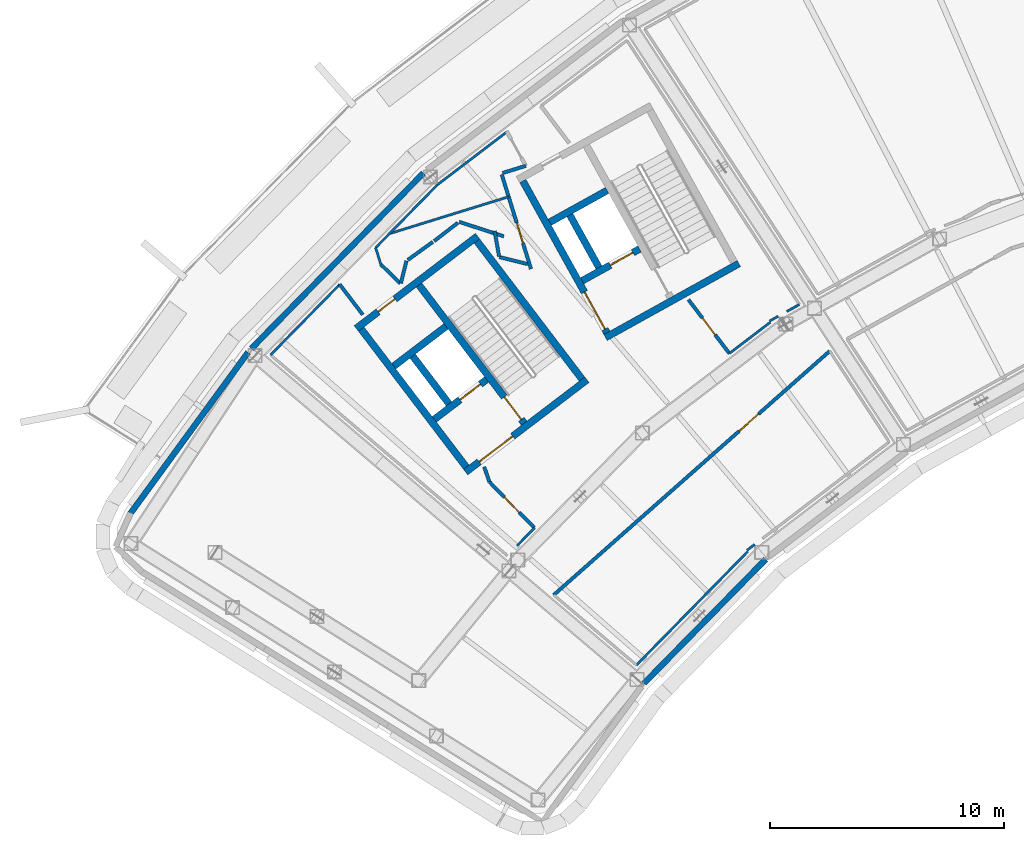
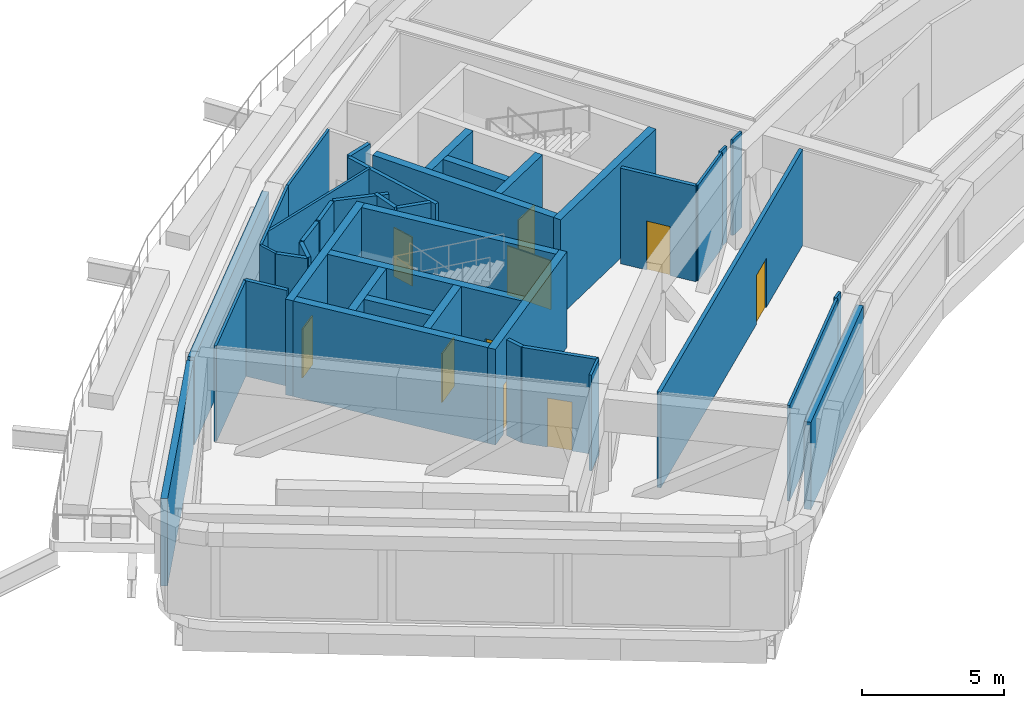
# One storey, part 7 of 24: 41 walls, 10 doors, 10 openings.
"""IFC4 building model written with IfcOpenShell, lengths in metres."""

from ifc_helpers import new_model, si_unit, direction, frame, frame_2d, origin, place, context, subcontext, project, spatial, rectangle, extrude, material, layer, layer_set, type_object, element, fill, save


model = new_model("IFC4")

# Units and contexts
model_context = context("Model", 3, precision=1e-05, world=origin(), true_north=direction((0.0, 1.0)))
body_context = subcontext(model_context, "Body", "Model", "MODEL_VIEW")
ifc_project = project(units=[si_unit("LENGTHUNIT", "METRE"), si_unit("AREAUNIT", "SQUARE_METRE"), si_unit("VOLUMEUNIT", "CUBIC_METRE"), si_unit("PLANEANGLEUNIT", "RADIAN"), si_unit("MASSUNIT", "GRAM", prefix="KILO")], contexts=[model_context])

# Site, building, storey
site_placement = place(None, origin())
site = spatial("IfcSite", under=ifc_project, at=site_placement, CompositionType="ELEMENT")
building_placement = place(site_placement, origin())
building = spatial("IfcBuilding", under=site, at=building_placement, Name="Tuul Gate Civic Tower", CompositionType="ELEMENT")
storey_placement = place(building_placement, frame((0.0, 0.0, 243.89990234375)))
storey = spatial("IfcBuildingStorey", under=building, at=storey_placement, Name="Plant and refuge floor 6", CompositionType="ELEMENT", Elevation=243.89990234375)

# Wall, opening, door
ifc_material_1 = material(Name="Concrete C50/60", Category="concrete")
ifc_layer_1 = layer(ifc_material_1, 0.300048828125)
ifc_layer_set_1 = layer_set([ifc_layer_1], Name="Concrete C50/60")
wall_type_1 = type_object("IfcWallType", Name="Core wall C50/60", PredefinedType="SHEAR", material=ifc_layer_set_1)
wall_1_placement = place(storey_placement, frame((-31.19091796875, -13.669677734375, 0.0), z_axis=(0.0, 0.0, 1.0), x_axis=(-0.795606717756, -0.605813461934, 0.0)))
wall_1 = element("IfcWall", 1, at=wall_1_placement, inside=storey, type_object=wall_type_1, Name="Core wall", PredefinedType="SHEAR", context=body_context, shape_type="SweptSolid", body=[
    extrude(rectangle(XDim=6.5, YDim=0.300048828125, at=frame_2d((3.25, 0.0))), origin(), (0.0, 0.0, 1.0), 4.10009765625),
])
opening_1_placement = place(wall_1_placement, frame((3.97509765625, 0.0, 0.0)))
opening_1 = element("IfcOpeningElement", 2, at=opening_1_placement, cuts=wall_1, Name="Opening LB-W1-LOBBY-1", PredefinedType="OPENING", context=body_context, shape_type="SweptSolid", body=[
    extrude(rectangle(XDim=1.800048828125, YDim=2.10009765625, at=frame_2d((0.89990234375, 1.050048828125))), frame((0.0, 0.16015625, 0.0), z_axis=(0.0, -1.0, 0.0), x_axis=(1.0, 0.0, 0.0)), (0.0, 0.0, 1.0), 0.320068359375),
])
ifc_material_2 = material(Name="Steel", Category="steel")
door_type_1 = type_object("IfcDoorType", Name="Lobby door", OperationType="DOUBLE_DOOR_SINGLE_SWING", PredefinedType="DOOR", material=ifc_material_2)
door_1_placement = place(opening_1_placement, origin())
door_1 = element("IfcDoor", 3, at=door_1_placement, inside=storey, type_object=door_type_1, Name="Lobby door W1-LOBBY", OperationType="DOUBLE_DOOR_SINGLE_SWING", OverallHeight=2.10009765625, OverallWidth=1.800048828125, PredefinedType="DOOR", context=body_context, shape_type="SweptSolid", body=[
    extrude(rectangle(XDim=1.800048828125, YDim=2.10009765625, at=frame_2d((0.89990234375, 1.050048828125))), frame((0.0, 0.02490234375, 0.0), z_axis=(0.0, -1.0, 0.0), x_axis=(1.0, 0.0, 0.0)), (0.0, 0.0, 1.0), 0.050048828125),
])
fill(opening_1, door_1)

wall_2_placement = place(storey_placement, frame((-35.470947265625, -13.66064453125, 0.0), z_axis=(0.0, 0.0, 1.0), x_axis=(-0.795615822227, -0.605801504968, 0.0)))
wall_2 = element("IfcWall", 4, at=wall_2_placement, inside=storey, type_object=wall_type_1, Name="Core wall", PredefinedType="SHEAR", context=body_context, shape_type="SweptSolid", body=[
    extrude(rectangle(XDim=2.800048828125, YDim=0.300048828125, at=frame_2d((1.39990234375, 0.0))), origin(), (0.0, 0.0, 1.0), 4.10009765625),
])
opening_2_placement = place(wall_2_placement, frame((0.324951171875, 0.0, 0.0)))
opening_2 = element("IfcOpeningElement", 5, at=opening_2_placement, cuts=wall_2, Name="Opening LD-H1", PredefinedType="OPENING", context=body_context, shape_type="SweptSolid", body=[
    extrude(rectangle(XDim=1.10009765625, YDim=2.10009765625, at=frame_2d((0.550048828125, 1.050048828125))), frame((0.0, 0.16015625, 0.0), z_axis=(0.0, -1.0, 0.0), x_axis=(1.0, 0.0, 0.0)), (0.0, 0.0, 1.0), 0.320068359375),
])
ifc_material_3 = material(Name="Stainless steel", Category="steel")
door_type_2 = type_object("IfcDoorType", Name="Landing door", OperationType="DOUBLE_DOOR_SLIDING", PredefinedType="DOOR", material=ifc_material_3)
door_2_placement = place(opening_2_placement, origin())
door_2 = element("IfcDoor", 6, at=door_2_placement, inside=storey, type_object=door_type_2, Name="High-rise lift H1 landing door", OperationType="DOUBLE_DOOR_SLIDING", OverallHeight=2.10009765625, OverallWidth=1.10009765625, PredefinedType="DOOR", context=body_context, shape_type="SweptSolid", body=[
    extrude(rectangle(XDim=1.10009765625, YDim=2.10009765625, at=frame_2d((0.550048828125, 1.050048828125))), frame((0.0, 0.02490234375, 0.0), z_axis=(0.0, -1.0, 0.0), x_axis=(1.0, 0.0, 0.0)), (0.0, 0.0, 1.0), 0.050048828125),
])
fill(opening_2, door_2)

# Wall
wall_3_placement = place(storey_placement, frame((-37.197509765625, -11.39306640625, 0.0), z_axis=(0.0, 0.0, 1.0), x_axis=(-0.795583820278, -0.605843531707, 0.0)))
element("IfcWall", 7, at=wall_3_placement, inside=storey, type_object=wall_type_1, Name="Core wall", PredefinedType="SHEAR", context=body_context, shape_type="SweptSolid", body=[
    extrude(rectangle(XDim=2.7998046875, YDim=0.300048828125, at=frame_2d((1.39990234375, 0.0))), origin(), (0.0, 0.0, 1.0), 4.10009765625),
])

# Wall, opening, door
wall_4_placement = place(storey_placement, frame((-35.855224609375, -7.543212890625, 0.0), z_axis=(0.0, 0.0, 1.0), x_axis=(-0.79563860527, -0.605771582202, 0.0)))
wall_4 = element("IfcWall", 8, at=wall_4_placement, inside=storey, type_object=wall_type_1, Name="Core wall", PredefinedType="SHEAR", context=body_context, shape_type="SweptSolid", body=[
    extrude(rectangle(XDim=6.5, YDim=0.300048828125, at=frame_2d((3.25, 0.0))), origin(), (0.0, 0.0, 1.0), 4.10009765625),
])
opening_3_placement = place(wall_4_placement, frame((4.425048828125, 0.0, 0.0)))
opening_3 = element("IfcOpeningElement", 9, at=opening_3_placement, cuts=wall_4, Name="Opening PB-D23", PredefinedType="OPENING", context=body_context, shape_type="SweptSolid", body=[
    extrude(rectangle(XDim=0.89990234375, YDim=2.10009765625, at=frame_2d((0.449951171875, 1.050048828125))), frame((0.0, 0.16015625, 0.0), z_axis=(0.0, -1.0, 0.0), x_axis=(1.0, 0.0, 0.0)), (0.0, 0.0, 1.0), 0.320068359375),
])
ifc_material_4 = material(Name="Timber door leaf", Category="wood")
door_type_3 = type_object("IfcDoorType", Name="Door D09", OperationType="NOTDEFINED", PredefinedType="DOOR", material=ifc_material_4)
door_3_placement = place(opening_3_placement, origin())
door_3 = element("IfcDoor", 10, at=door_3_placement, inside=storey, type_object=door_type_3, Name="Door PB-D23", OperationType="SINGLE_SWING_LEFT", OverallHeight=2.10009765625, OverallWidth=0.89990234375, PredefinedType="DOOR", context=body_context, shape_type="SweptSolid", body=[
    extrude(rectangle(XDim=0.89990234375, YDim=2.10009765625, at=frame_2d((0.449951171875, 1.050048828125))), frame((0.0, 0.02490234375, 0.0), z_axis=(0.0, -1.0, 0.0), x_axis=(1.0, 0.0, 0.0)), (0.0, 0.0, 1.0), 0.050048828125),
])
fill(opening_3, door_3)

# Wall
wall_5_placement = place(storey_placement, frame((-31.401123046875, -13.64111328125, 0.0), z_axis=(0.0, 0.0, 1.0), x_axis=(-0.605769822278, 0.795639945213, 0.0)))
element("IfcWall", 11, at=wall_5_placement, inside=storey, type_object=wall_type_1, Name="Core wall", PredefinedType="SHEAR", context=body_context, shape_type="SweptSolid", body=[
    extrude(rectangle(XDim=7.39990234375, YDim=0.300048828125, at=frame_2d((3.699951171875, 0.0))), origin(), (0.0, 0.0, 1.0), 4.10009765625),
])

# Wall, opening, door
wall_6_placement = place(storey_placement, frame((-33.867431640625, -15.51904296875, 0.0), z_axis=(0.0, 0.0, 1.0), x_axis=(-0.605769822278, 0.795639945213, 0.0)))
wall_6 = element("IfcWall", 12, at=wall_6_placement, inside=storey, type_object=wall_type_1, Name="Core wall", PredefinedType="SHEAR", context=body_context, shape_type="SweptSolid", body=[
    extrude(rectangle(XDim=7.39990234375, YDim=0.300048828125, at=frame_2d((3.699951171875, 0.0))), origin(), (0.0, 0.0, 1.0), 4.10009765625),
])
opening_4_placement = place(wall_6_placement, frame((0.199951171875, 0.0, 0.0)))
opening_4 = element("IfcOpeningElement", 13, at=opening_4_placement, cuts=wall_6, Name="Opening SD-ST-1", PredefinedType="OPENING", context=body_context, shape_type="SweptSolid", body=[
    extrude(rectangle(XDim=1.199951171875, YDim=2.10009765625, at=frame_2d((0.60009765625, 1.050048828125))), frame((0.0, 0.16015625, 0.0), z_axis=(0.0, -1.0, 0.0), x_axis=(1.0, 0.0, 0.0)), (0.0, 0.0, 1.0), 0.320068359375),
])
ifc_material_5 = material(Name="Steel", Category="steel")
door_type_4 = type_object("IfcDoorType", Name="Stair door", OperationType="NOTDEFINED", PredefinedType="DOOR", material=ifc_material_5)
door_4_placement = place(opening_4_placement, origin())
door_4 = element("IfcDoor", 14, at=door_4_placement, inside=storey, type_object=door_type_4, Name="Stair door ST-1", OperationType="SINGLE_SWING_LEFT", OverallHeight=2.10009765625, OverallWidth=1.199951171875, PredefinedType="DOOR", context=body_context, shape_type="SweptSolid", body=[
    extrude(rectangle(XDim=1.199951171875, YDim=2.10009765625, at=frame_2d((0.60009765625, 1.050048828125))), frame((0.0, 0.02490234375, 0.0), z_axis=(0.0, -1.0, 0.0), x_axis=(1.0, 0.0, 0.0)), (0.0, 0.0, 1.0), 0.050048828125),
])
fill(opening_4, door_4)

# Walls
wall_7_placement = place(storey_placement, frame((-37.073486328125, -14.6923828125, 0.0), z_axis=(0.0, 0.0, 1.0), x_axis=(-0.605728760074, 0.79567120673, 0.0)))
element("IfcWall", 15, at=wall_7_placement, inside=storey, type_object=wall_type_1, Name="Core wall", PredefinedType="SHEAR", context=body_context, shape_type="SweptSolid", body=[
    extrude(rectangle(XDim=2.550048828125, YDim=0.300048828125, at=frame_2d((1.27490234375, 0.0))), origin(), (0.0, 0.0, 1.0), 4.10009765625),
])
wall_8_placement = place(storey_placement, frame((-36.333984375, -17.397216796875, 0.0), z_axis=(0.0, 0.0, 1.0), x_axis=(-0.605753921168, 0.795652051458, 0.0)))
element("IfcWall", 16, at=wall_8_placement, inside=storey, type_object=wall_type_1, Name="Core wall", PredefinedType="SHEAR", context=body_context, shape_type="SweptSolid", body=[
    extrude(rectangle(XDim=7.400146484375, YDim=0.300048828125, at=frame_2d((3.7001953125, 0.0))), origin(), (0.0, 0.0, 1.0), 4.10009765625),
])
wall_9_placement = place(storey_placement, frame((-24.711669921875, -8.7158203125, 0.0), z_axis=(0.0, 0.0, 1.0), x_axis=(-0.874629909008, -0.484791215132, 0.0)))
element("IfcWall", 17, at=wall_9_placement, inside=storey, type_object=wall_type_1, Name="Core wall", PredefinedType="SHEAR", context=body_context, shape_type="SweptSolid", body=[
    extrude(rectangle(XDim=6.5, YDim=0.300048828125, at=frame_2d((3.25, 0.0))), origin(), (0.0, 0.0, 1.0), 4.10009765625),
])

# Wall, opening, door
wall_10_placement = place(storey_placement, frame((-28.94580078125, -8.090087890625, 0.0), z_axis=(0.0, 0.0, 1.0), x_axis=(-0.874629840737, -0.484791338301, 0.0)))
wall_10 = element("IfcWall", 18, at=wall_10_placement, inside=storey, type_object=wall_type_1, Name="Core wall", PredefinedType="SHEAR", context=body_context, shape_type="SweptSolid", body=[
    extrude(rectangle(XDim=2.800048828125, YDim=0.300048828125, at=frame_2d((1.39990234375, 0.0))), origin(), (0.0, 0.0, 1.0), 4.10009765625),
])
opening_5_placement = place(wall_10_placement, frame((0.324951171875, 0.0, 0.0)))
opening_5 = element("IfcOpeningElement", 19, at=opening_5_placement, cuts=wall_10, Name="Opening LD-FF-1", PredefinedType="OPENING", context=body_context, shape_type="SweptSolid", body=[
    extrude(rectangle(XDim=1.10009765625, YDim=2.10009765625, at=frame_2d((0.550048828125, 1.050048828125))), frame((0.0, 0.16015625, 0.0), z_axis=(0.0, -1.0, 0.0), x_axis=(1.0, 0.0, 0.0)), (0.0, 0.0, 1.0), 0.320068359375),
])
door_5_placement = place(opening_5_placement, origin())
door_5 = element("IfcDoor", 20, at=door_5_placement, inside=storey, type_object=door_type_2, Name="Fire-fighting lift FF-1 landing door", OperationType="DOUBLE_DOOR_SLIDING", OverallHeight=2.10009765625, OverallWidth=1.10009765625, PredefinedType="DOOR", context=body_context, shape_type="SweptSolid", body=[
    extrude(rectangle(XDim=1.10009765625, YDim=2.10009765625, at=frame_2d((0.550048828125, 1.050048828125))), frame((0.0, 0.02490234375, 0.0), z_axis=(0.0, -1.0, 0.0), x_axis=(1.0, 0.0, 0.0)), (0.0, 0.0, 1.0), 0.050048828125),
])
fill(opening_5, door_5)

# Walls
wall_11_placement = place(storey_placement, frame((-30.327392578125, -5.59716796875, 0.0), z_axis=(0.0, 0.0, 1.0), x_axis=(-0.874629840737, -0.484791338301, 0.0)))
element("IfcWall", 21, at=wall_11_placement, inside=storey, type_object=wall_type_1, Name="Core wall", PredefinedType="SHEAR", context=body_context, shape_type="SweptSolid", body=[
    extrude(rectangle(XDim=2.800048828125, YDim=0.300048828125, at=frame_2d((1.39990234375, 0.0))), origin(), (0.0, 0.0, 1.0), 4.10009765625),
])
wall_12_placement = place(storey_placement, frame((-30.680419921875, -8.8798828125, 0.0), z_axis=(0.0, 0.0, 1.0), x_axis=(-0.484724115216, 0.874667097888, 0.0)))
element("IfcWall", 22, at=wall_12_placement, inside=storey, type_object=wall_type_1, Name="Core wall", PredefinedType="SHEAR", context=body_context, shape_type="SweptSolid", body=[
    extrude(rectangle(XDim=2.550048828125, YDim=0.300048828125, at=frame_2d((1.27490234375, 0.0))), origin(), (0.0, 0.0, 1.0), 4.10009765625),
])

# Wall, opening, door
wall_13_placement = place(storey_placement, frame((-30.33837890625, -11.6630859375, 0.0), z_axis=(0.0, 0.0, 1.0), x_axis=(-0.484751894226, 0.874651702704, 0.0)))
wall_13 = element("IfcWall", 23, at=wall_13_placement, inside=storey, type_object=wall_type_1, Name="Core wall", PredefinedType="SHEAR", context=body_context, shape_type="SweptSolid", body=[
    extrude(rectangle(XDim=7.39990234375, YDim=0.300048828125, at=frame_2d((3.699951171875, 0.0))), origin(), (0.0, 0.0, 1.0), 4.10009765625),
])
opening_6_placement = place(wall_13_placement, frame((0.175048828125, 0.0, 0.0)))
opening_6 = element("IfcOpeningElement", 24, at=opening_6_placement, cuts=wall_13, Name="Opening LB-W2-FLOBBY-1", PredefinedType="OPENING", context=body_context, shape_type="SweptSolid", body=[
    extrude(rectangle(XDim=1.800048828125, YDim=2.10009765625, at=frame_2d((0.89990234375, 1.050048828125))), frame((0.0, 0.16015625, 0.0), z_axis=(0.0, -1.0, 0.0), x_axis=(1.0, 0.0, 0.0)), (0.0, 0.0, 1.0), 0.320068359375),
])
door_6_placement = place(opening_6_placement, frame((1.800048828125, 0.0, 0.0), z_axis=(0.0, 0.0, 1.0), x_axis=(-1.0, 0.0, 0.0)))
door_6 = element("IfcDoor", 25, at=door_6_placement, inside=storey, type_object=door_type_1, Name="Lobby door W2-FLOBBY", OperationType="DOUBLE_DOOR_SINGLE_SWING", OverallHeight=2.10009765625, OverallWidth=1.800048828125, PredefinedType="DOOR", context=body_context, shape_type="SweptSolid", body=[
    extrude(rectangle(XDim=1.800048828125, YDim=2.10009765625, at=frame_2d((0.900146484375, 1.050048828125))), frame((0.0, 0.02490234375, 0.0), z_axis=(0.0, -1.0, 0.0), x_axis=(1.0, 0.0, 0.0)), (0.0, 0.0, 1.0), 0.050048828125),
])
fill(opening_6, door_6)

# Walls
ifc_material_6 = material(Name="Gypsum board partition")
ifc_layer_2 = layer(ifc_material_6, 0.14990234375)
ifc_layer_set_2 = layer_set([ifc_layer_2], Name="Gypsum board partition")
wall_type_2 = type_object("IfcWallType", Name="Corridor wall P150", PredefinedType="PARTITIONING", material=ifc_layer_set_2)
wall_14_placement = place(storey_placement, frame((-34.92041015625, -8.438720703125, 0.0), z_axis=(0.0, 0.0, 1.0), x_axis=(0.971076197347, -0.238769803253, 0.0)))
element("IfcWall", 26, at=wall_14_placement, inside=storey, type_object=wall_type_2, Name="p006", PredefinedType="PARTITIONING", context=body_context, shape_type="SweptSolid", body=[
    extrude(rectangle(XDim=1.236083984375, YDim=0.14990234375, at=frame_2d((0.6181640625, 0.0))), origin(), (0.0, 0.0, 1.0), 4.10009765625),
])
wall_15_placement = place(storey_placement, frame((-34.934814453125, -8.41455078125, 0.0), z_axis=(0.0, 0.0, 1.0), x_axis=(-0.174325920863, 0.98468800811, 0.0)))
element("IfcWall", 27, at=wall_15_placement, inside=storey, type_object=wall_type_2, Name="p007", PredefinedType="PARTITIONING", context=body_context, shape_type="SweptSolid", body=[
    extrude(rectangle(XDim=1.107666015625, YDim=0.14990234375, at=frame_2d((0.5537109375, 0.0))), origin(), (0.0, 0.0, 1.0), 4.10009765625),
])
wall_16_placement = place(storey_placement, frame((-36.636474609375, -6.9365234375, 0.0), z_axis=(0.0, 0.0, 1.0), x_axis=(0.951245134816, -0.308435882298, 0.0)))
element("IfcWall", 28, at=wall_16_placement, inside=storey, type_object=wall_type_2, Name="p008", PredefinedType="PARTITIONING", context=body_context, shape_type="SweptSolid", body=[
    extrude(rectangle(XDim=1.995361328125, YDim=0.14990234375, at=frame_2d((0.99755859375, 0.0))), origin(), (0.0, 0.0, 1.0), 4.10009765625),
])
wall_17_placement = place(storey_placement, frame((-37.704345703125, -7.754150390625, 0.0), z_axis=(0.0, 0.0, 1.0), x_axis=(0.792212115152, 0.610245823096, 0.0)))
element("IfcWall", 29, at=wall_17_placement, inside=storey, type_object=wall_type_2, Name="p009", PredefinedType="PARTITIONING", context=body_context, shape_type="SweptSolid", body=[
    extrude(rectangle(XDim=1.278564453125, YDim=0.14990234375, at=frame_2d((0.63916015625, 0.0))), origin(), (0.0, 0.0, 1.0), 4.10009765625),
])
wall_18_placement = place(storey_placement, frame((-38.826416015625, -8.56005859375, 0.0), z_axis=(0.0, 0.0, 1.0), x_axis=(0.810079434536, 0.586320142706, 0.0)))
element("IfcWall", 30, at=wall_18_placement, inside=storey, type_object=wall_type_2, Name="p011", PredefinedType="PARTITIONING", context=body_context, shape_type="SweptSolid", body=[
    extrude(rectangle(XDim=1.310302734375, YDim=0.14990234375, at=frame_2d((0.6552734375, 0.0))), origin(), (0.0, 0.0, 1.0), 4.10009765625),
])
wall_19_placement = place(storey_placement, frame((-39.12158203125, -9.552978515625, 0.0), z_axis=(0.0, 0.0, 1.0), x_axis=(0.238565766702, 0.971126343458, 0.0)))
element("IfcWall", 31, at=wall_19_placement, inside=storey, type_object=wall_type_2, Name="p012", PredefinedType="PARTITIONING", context=body_context, shape_type="SweptSolid", body=[
    extrude(rectangle(XDim=0.984375, YDim=0.14990234375, at=frame_2d((0.4921875, 0.0))), origin(), (0.0, 0.0, 1.0), 4.10009765625),
])
wall_20_placement = place(storey_placement, frame((-39.980224609375, -8.748046875, 0.0), z_axis=(0.0, 0.0, 1.0), x_axis=(0.71162288314, -0.7025616501, 0.0)))
element("IfcWall", 32, at=wall_20_placement, inside=storey, type_object=wall_type_2, Name="p013", PredefinedType="PARTITIONING", context=body_context, shape_type="SweptSolid", body=[
    extrude(rectangle(XDim=1.158447265625, YDim=0.14990234375, at=frame_2d((0.5791015625, 0.0))), origin(), (0.0, 0.0, 1.0), 4.10009765625),
])

# Wall, opening, door
wall_21_placement = place(storey_placement, frame((-34.822509765625, -4.916748046875, 0.0), z_axis=(0.0, 0.0, 1.0), x_axis=(0.295693800249, -0.955282773054, 0.0)))
wall_21 = element("IfcWall", 33, at=wall_21_placement, inside=storey, type_object=wall_type_2, Name="p014", PredefinedType="PARTITIONING", context=body_context, shape_type="SweptSolid", body=[
    extrude(rectangle(XDim=4.21337890625, YDim=0.14990234375, at=frame_2d((2.106689453125, 0.0))), origin(), (0.0, 0.0, 1.0), 4.10009765625),
])
opening_7_placement = place(wall_21_placement, frame((2.1533203125, 0.0, 0.0)))
opening_7 = element("IfcOpeningElement", 34, at=opening_7_placement, cuts=wall_21, Name="Opening PB-D021", PredefinedType="OPENING", context=body_context, shape_type="SweptSolid", body=[
    extrude(rectangle(XDim=0.89990234375, YDim=2.10009765625, at=frame_2d((0.449951171875, 1.050048828125))), frame((0.0, 0.0849609375, 0.0), z_axis=(0.0, -1.0, 0.0), x_axis=(1.0, 0.0, 0.0)), (0.0, 0.0, 1.0), 0.169921875),
])
door_7_placement = place(opening_7_placement, origin())
door_7 = element("IfcDoor", 35, at=door_7_placement, inside=storey, type_object=door_type_3, Name="Door PB-D02", OperationType="SINGLE_SWING_RIGHT", OverallHeight=2.10009765625, OverallWidth=0.89990234375, PredefinedType="DOOR", context=body_context, shape_type="SweptSolid", body=[
    extrude(rectangle(XDim=0.89990234375, YDim=2.10009765625, at=frame_2d((0.449951171875, 1.050048828125))), frame((0.0, 0.02490234375, 0.0), z_axis=(0.0, -1.0, 0.0), x_axis=(1.0, 0.0, 0.0)), (0.0, 0.0, 1.0), 0.050048828125),
])
fill(opening_7, door_7)

wall_22_placement = place(storey_placement, frame((-26.863037109375, -10.252197265625, 0.0), z_axis=(0.0, 0.0, 1.0), x_axis=(0.605808528713, -0.795610474126, 0.0)))
wall_22 = element("IfcWall", 36, at=wall_22_placement, inside=storey, type_object=wall_type_2, Name="p067", PredefinedType="PARTITIONING", context=body_context, shape_type="SweptSolid", body=[
    extrude(rectangle(XDim=2.8837890625, YDim=0.14990234375, at=frame_2d((1.44189453125, 0.0))), origin(), (0.0, 0.0, 1.0), 4.10009765625),
])
opening_8_placement = place(wall_22_placement, frame((0.991943359375, 0.0, 0.0)))
opening_8 = element("IfcOpeningElement", 37, at=opening_8_placement, cuts=wall_22, Name="Opening PB-D19", PredefinedType="OPENING", context=body_context, shape_type="SweptSolid", body=[
    extrude(rectangle(XDim=0.89990234375, YDim=2.10009765625, at=frame_2d((0.449951171875, 1.050048828125))), frame((0.0, 0.0849609375, 0.0), z_axis=(0.0, -1.0, 0.0), x_axis=(1.0, 0.0, 0.0)), (0.0, 0.0, 1.0), 0.169921875),
])
door_8_placement = place(opening_8_placement, origin())
door_8 = element("IfcDoor", 38, at=door_8_placement, inside=storey, type_object=door_type_3, Name="Door PB-D19", OperationType="SINGLE_SWING_RIGHT", OverallHeight=2.10009765625, OverallWidth=0.89990234375, PredefinedType="DOOR", context=body_context, shape_type="SweptSolid", body=[
    extrude(rectangle(XDim=0.89990234375, YDim=2.10009765625, at=frame_2d((0.449951171875, 1.050048828125))), frame((0.0, 0.02490234375, 0.0), z_axis=(0.0, -1.0, 0.0), x_axis=(1.0, 0.0, 0.0)), (0.0, 0.0, 1.0), 0.050048828125),
])
fill(opening_8, door_8)

wall_23_placement = place(storey_placement, frame((-32.605712890625, -22.846435546875, 0.0), z_axis=(0.0, 0.0, 1.0), x_axis=(0.749307383061, 0.662222353663, 0.0)))
wall_23 = element("IfcWall", 39, at=wall_23_placement, inside=storey, type_object=wall_type_2, Name="p068", PredefinedType="PARTITIONING", context=body_context, shape_type="SweptSolid", body=[
    extrude(rectangle(XDim=15.707763671875, YDim=0.14990234375, at=frame_2d((7.85400390625, 0.0))), origin(), (0.0, 0.0, 1.0), 4.10009765625),
])
opening_9_placement = place(wall_23_placement, frame((10.553955078125, 0.0, 0.0)))
opening_9 = element("IfcOpeningElement", 40, at=opening_9_placement, cuts=wall_23, Name="Opening PB-D20", PredefinedType="OPENING", context=body_context, shape_type="SweptSolid", body=[
    extrude(rectangle(XDim=1.10009765625, YDim=2.10009765625, at=frame_2d((0.550048828125, 1.050048828125))), frame((0.0, 0.0849609375, 0.0), z_axis=(0.0, -1.0, 0.0), x_axis=(1.0, 0.0, 0.0)), (0.0, 0.0, 1.0), 0.169921875),
])
ifc_material_7 = material(Name="Timber door leaf", Category="wood")
door_type_5 = type_object("IfcDoorType", Name="Door D11", OperationType="NOTDEFINED", PredefinedType="DOOR", material=ifc_material_7)
door_9_placement = place(opening_9_placement, frame((1.10009765625, 0.0, 0.0), z_axis=(0.0, 0.0, 1.0), x_axis=(-1.0, 0.0, 0.0)))
door_9 = element("IfcDoor", 41, at=door_9_placement, inside=storey, type_object=door_type_5, Name="Door PB-D20", OperationType="SINGLE_SWING_LEFT", OverallHeight=2.10009765625, OverallWidth=1.10009765625, PredefinedType="DOOR", context=body_context, shape_type="SweptSolid", body=[
    extrude(rectangle(XDim=1.10009765625, YDim=2.10009765625, at=frame_2d((0.550048828125, 1.050048828125))), frame((0.0, 0.02490234375, 0.0), z_axis=(0.0, -1.0, 0.0), x_axis=(1.0, 0.0, 0.0)), (0.0, 0.0, 1.0), 0.050048828125),
])
fill(opening_9, door_9)

# Wall
wall_24_placement = place(storey_placement, frame((-35.570068359375, -17.382080078125, 0.0), z_axis=(0.0, 0.0, 1.0), x_axis=(0.324555060206, -0.94586680505, 0.0)))
element("IfcWall", 42, at=wall_24_placement, inside=storey, type_object=wall_type_2, Name="p069", PredefinedType="PARTITIONING", context=body_context, shape_type="SweptSolid", body=[
    extrude(rectangle(XDim=0.67626953125, YDim=0.14990234375, at=frame_2d((0.338134765625, 0.0))), origin(), (0.0, 0.0, 1.0), 4.10009765625),
])

# Wall, opening, door
wall_25_placement = place(storey_placement, frame((-35.349609375, -18.023193359375, 0.0), z_axis=(0.0, 0.0, 1.0), x_axis=(0.698888550476, -0.715230588002, 0.0)))
wall_25 = element("IfcWall", 43, at=wall_25_placement, inside=storey, type_object=wall_type_2, Name="p070", PredefinedType="PARTITIONING", context=body_context, shape_type="SweptSolid", body=[
    extrude(rectangle(XDim=2.748779296875, YDim=0.14990234375, at=frame_2d((1.37451171875, 0.0))), origin(), (0.0, 0.0, 1.0), 4.10009765625),
])
opening_10_placement = place(wall_25_placement, frame((0.924560546875, 0.0, 0.0)))
opening_10 = element("IfcOpeningElement", 44, at=opening_10_placement, cuts=wall_25, Name="Opening PB-D21", PredefinedType="OPENING", context=body_context, shape_type="SweptSolid", body=[
    extrude(rectangle(XDim=0.89990234375, YDim=2.10009765625, at=frame_2d((0.449951171875, 1.050048828125))), frame((0.0, 0.0849609375, 0.0), z_axis=(0.0, -1.0, 0.0), x_axis=(1.0, 0.0, 0.0)), (0.0, 0.0, 1.0), 0.169921875),
])
door_10_placement = place(opening_10_placement, frame((0.89990234375, 0.0, 0.0), z_axis=(0.0, 0.0, 1.0), x_axis=(-1.0, 0.0, 0.0)))
door_10 = element("IfcDoor", 45, at=door_10_placement, inside=storey, type_object=door_type_3, Name="Door PB-D21", OperationType="SINGLE_SWING_LEFT", OverallHeight=2.10009765625, OverallWidth=0.89990234375, PredefinedType="DOOR", context=body_context, shape_type="SweptSolid", body=[
    extrude(rectangle(XDim=0.89990234375, YDim=2.10009765625, at=frame_2d((0.449951171875, 1.050048828125))), frame((0.0, 0.02490234375, 0.0), z_axis=(0.0, -1.0, 0.0), x_axis=(1.0, 0.0, 0.0)), (0.0, 0.0, 1.0), 0.050048828125),
])
fill(opening_10, door_10)

# Walls
wall_26_placement = place(storey_placement, frame((-41.7333984375, -9.604248046875, 0.0), z_axis=(0.0, 0.0, 1.0), x_axis=(0.605961504553, -0.795493969179, 0.0)))
element("IfcWall", 46, at=wall_26_placement, inside=storey, type_object=wall_type_2, Name="p071", PredefinedType="PARTITIONING", context=body_context, shape_type="SweptSolid", body=[
    extrude(rectangle(XDim=1.620361328125, YDim=0.14990234375, at=frame_2d((0.81005859375, 0.0))), origin(), (0.0, 0.0, 1.0), 4.10009765625),
])
wall_27_placement = place(storey_placement, frame((-34.789794921875, -4.853759765625, 0.0), z_axis=(0.0, 0.0, 1.0), x_axis=(0.955295366079, 0.295653113543, 0.0)))
element("IfcWall", 47, at=wall_27_placement, inside=storey, type_object=wall_type_2, Name="p073", PredefinedType="PARTITIONING", context=body_context, shape_type="SweptSolid", body=[
    extrude(rectangle(XDim=1.03955078125, YDim=0.14990234375, at=frame_2d((0.519775390625, 0.0))), origin(), (0.0, 0.0, 1.0), 4.10009765625),
])
ifc_material_8 = material(Name="Precast concrete C40/50", Category="concrete")
ifc_layer_3 = layer(ifc_material_8, 0.25)
ifc_layer_set_3 = layer_set([ifc_layer_3], Name="Precast concrete C40/50")
wall_type_3 = type_object("IfcWallType", Name="External wall", PredefinedType="STANDARD", material=ifc_layer_set_3)
wall_28_placement = place(storey_placement, frame((-38.1669921875, -4.858642578125, 0.0), z_axis=(0.0, 0.0, 1.0), x_axis=(-0.700000361278, -0.71414248873, 0.0)))
element("IfcWall", 48, at=wall_28_placement, inside=storey, type_object=wall_type_3, Name="External wall", PredefinedType="STANDARD", context=body_context, shape_type="SweptSolid", body=[
    extrude(rectangle(XDim=10.478759765625, YDim=0.25, at=frame_2d((5.2392578125, 0.0))), origin(), (0.0, 0.0, 1.0), 3.75),
])
wall_29_placement = place(storey_placement, frame((-45.64111328125, -12.501708984375, 0.0), z_axis=(0.0, 0.0, 1.0), x_axis=(-0.589807154911, -0.807544128835, 0.0)))
element("IfcWall", 49, at=wall_29_placement, inside=storey, type_object=wall_type_3, Name="External wall", PredefinedType="STANDARD", context=body_context, shape_type="SweptSolid", body=[
    extrude(rectangle(XDim=8.505859375, YDim=0.25, at=frame_2d((4.2529296875, 0.0))), origin(), (0.0, 0.0, 1.0), 3.75),
])
wall_30_placement = place(storey_placement, frame((-28.75, -26.6083984375, 0.0), z_axis=(0.0, 0.0, 1.0), x_axis=(0.700037732512, 0.71410585564, 0.0)))
element("IfcWall", 50, at=wall_30_placement, inside=storey, type_object=wall_type_3, Name="External wall", PredefinedType="STANDARD", context=body_context, shape_type="SweptSolid", body=[
    extrude(rectangle(XDim=7.392822265625, YDim=0.25, at=frame_2d((3.6962890625, 0.0))), origin(), (0.0, 0.0, 1.0), 3.75),
])
ifc_material_9 = material(Name="Gypsum board partition")
ifc_layer_4 = layer(ifc_material_9, 0.10009765625)
ifc_layer_set_4 = layer_set([ifc_layer_4], Name="Gypsum board partition")
wall_type_4 = type_object("IfcWallType", Name="Partition P100", PredefinedType="PARTITIONING", material=ifc_layer_set_4)
wall_31_placement = place(storey_placement, frame((-39.6103515625, -7.4384765625, 0.0), z_axis=(0.0, 0.0, 1.0), x_axis=(0.955278482456, 0.295707661308, 0.0)))
element("IfcWall", 51, at=wall_31_placement, inside=storey, type_object=wall_type_4, Name="p015", PredefinedType="PARTITIONING", context=body_context, shape_type="SweptSolid", body=[
    extrude(rectangle(XDim=5.3193359375, YDim=0.10009765625, at=frame_2d((2.65966796875, 0.0))), origin(), (0.0, 0.0, 1.0), 4.10009765625),
])
wall_32_placement = place(storey_placement, frame((-39.980224609375, -8.748046875, 0.0), z_axis=(0.0, 0.0, 1.0), x_axis=(-0.295912580249, 0.955215025453, 0.0)))
element("IfcWall", 52, at=wall_32_placement, inside=storey, type_object=wall_type_4, Name="p076", PredefinedType="PARTITIONING", context=body_context, shape_type="SweptSolid", body=[
    extrude(rectangle(XDim=0.74169921875, YDim=0.10009765625, at=frame_2d((0.370849609375, 0.0))), origin(), (0.0, 0.0, 1.0), 4.10009765625),
])
wall_33_placement = place(storey_placement, frame((-40.19970703125, -8.03955078125, 0.0), z_axis=(0.0, 0.0, 1.0), x_axis=(0.699991530811, 0.714151144221, 0.0)))
element("IfcWall", 53, at=wall_33_placement, inside=storey, type_object=wall_type_4, Name="p077", PredefinedType="PARTITIONING", context=body_context, shape_type="SweptSolid", body=[
    extrude(rectangle(XDim=3.7587890625, YDim=0.10009765625, at=frame_2d((1.87939453125, 0.0))), origin(), (0.0, 0.0, 1.0), 4.10009765625),
])
wall_34_placement = place(storey_placement, frame((-22.130615234375, -10.460693359375, 0.0), z_axis=(0.0, 0.0, 1.0), x_axis=(-0.874760071317, -0.484556310071, 0.0)))
element("IfcWall", 54, at=wall_34_placement, inside=storey, type_object=wall_type_4, Name="p129", PredefinedType="PARTITIONING", context=body_context, shape_type="SweptSolid", body=[
    extrude(rectangle(XDim=0.610595703125, YDim=0.10009765625, at=frame_2d((0.30517578125, 0.0))), origin(), (0.0, 0.0, 1.0), 4.10009765625),
])
wall_35_placement = place(storey_placement, frame((-23.03369140625, -10.961181640625, 0.0), z_axis=(0.0, 0.0, 1.0), x_axis=(-0.874543306316, -0.484947425375, 0.0)))
element("IfcWall", 55, at=wall_35_placement, inside=storey, type_object=wall_type_4, Name="p130", PredefinedType="PARTITIONING", context=body_context, shape_type="SweptSolid", body=[
    extrude(rectangle(XDim=0.417236328125, YDim=0.10009765625, at=frame_2d((0.20849609375, 0.0))), origin(), (0.0, 0.0, 1.0), 4.10009765625),
])
wall_36_placement = place(storey_placement, frame((-23.369384765625, -11.216796875, 0.0), z_axis=(0.0, 0.0, 1.0), x_axis=(-0.795628258125, -0.605785172213, 0.0)))
element("IfcWall", 56, at=wall_36_placement, inside=storey, type_object=wall_type_4, Name="p131", PredefinedType="PARTITIONING", context=body_context, shape_type="SweptSolid", body=[
    extrude(rectangle(XDim=2.1953125, YDim=0.10009765625, at=frame_2d((1.09765625, 0.0))), origin(), (0.0, 0.0, 1.0), 4.10009765625),
])
wall_37_placement = place(storey_placement, frame((-24.034423828125, -20.690673828125, 0.0), z_axis=(0.0, 0.0, 1.0), x_axis=(-0.795700058057, -0.60569085977, 0.0)))
element("IfcWall", 57, at=wall_37_placement, inside=storey, type_object=wall_type_4, Name="p134", PredefinedType="PARTITIONING", context=body_context, shape_type="SweptSolid", body=[
    extrude(rectangle(XDim=0.41748046875, YDim=0.10009765625, at=frame_2d((0.208740234375, 0.0))), origin(), (0.0, 0.0, 1.0), 4.10009765625),
])
wall_38_placement = place(storey_placement, frame((-24.329833984375, -20.991943359375, 0.0), z_axis=(0.0, 0.0, 1.0), x_axis=(-0.700017433589, -0.714125754102, 0.0)))
element("IfcWall", 58, at=wall_38_placement, inside=storey, type_object=wall_type_4, Name="p135", PredefinedType="PARTITIONING", context=body_context, shape_type="SweptSolid", body=[
    extrude(rectangle(XDim=6.783447265625, YDim=0.10009765625, at=frame_2d((3.3916015625, 0.0))), origin(), (0.0, 0.0, 1.0), 4.10009765625),
])
wall_39_placement = place(storey_placement, frame((-33.428466796875, -19.9892578125, 0.0), z_axis=(0.0, 0.0, 1.0), x_axis=(-0.70008057843, -0.71406385128, 0.0)))
element("IfcWall", 59, at=wall_39_placement, inside=storey, type_object=wall_type_4, Name="p137", PredefinedType="PARTITIONING", context=body_context, shape_type="SweptSolid", body=[
    extrude(rectangle(XDim=1.06494140625, YDim=0.10009765625, at=frame_2d((0.532470703125, 0.0))), origin(), (0.0, 0.0, 1.0), 4.10009765625),
])
wall_40_placement = place(storey_placement, frame((-44.680908203125, -12.611572265625, 0.0), z_axis=(0.0, 0.0, 1.0), x_axis=(0.699968802697, 0.714173420991, 0.0)))
element("IfcWall", 60, at=wall_40_placement, inside=storey, type_object=wall_type_4, Name="p139", PredefinedType="PARTITIONING", context=body_context, shape_type="SweptSolid", body=[
    extrude(rectangle(XDim=4.2109375, YDim=0.10009765625, at=frame_2d((2.10546875, 0.0))), origin(), (0.0, 0.0, 1.0), 4.10009765625),
])
wall_41_placement = place(storey_placement, frame((-37.568603515625, -5.355224609375, 0.0), z_axis=(0.0, 0.0, 1.0), x_axis=(0.795635996351, 0.60577500882, 0.0)))
element("IfcWall", 61, at=wall_41_placement, inside=storey, type_object=wall_type_4, Name="p141", PredefinedType="PARTITIONING", context=body_context, shape_type="SweptSolid", body=[
    extrude(rectangle(XDim=3.73046875, YDim=0.10009765625, at=frame_2d((1.865234375, 0.0))), origin(), (0.0, 0.0, 1.0), 4.10009765625),
])

save(model, "model.ifc")
